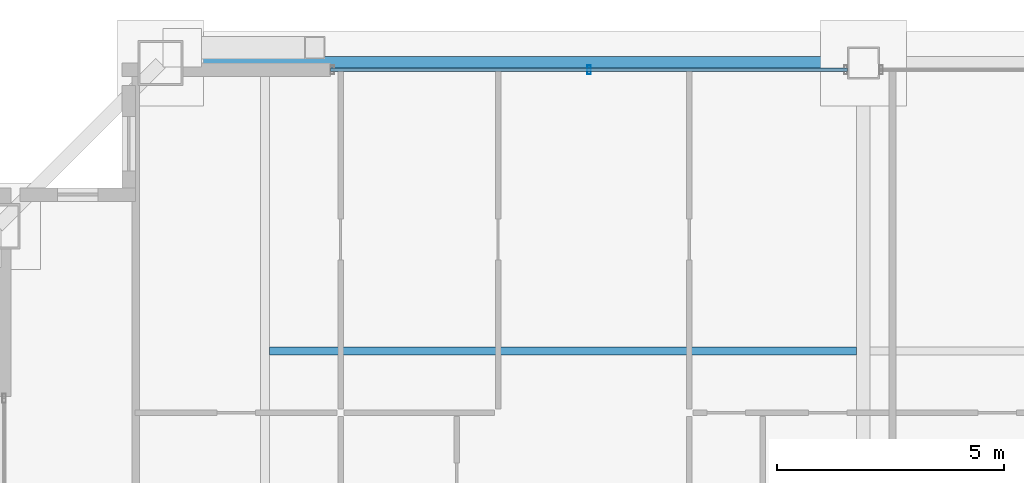
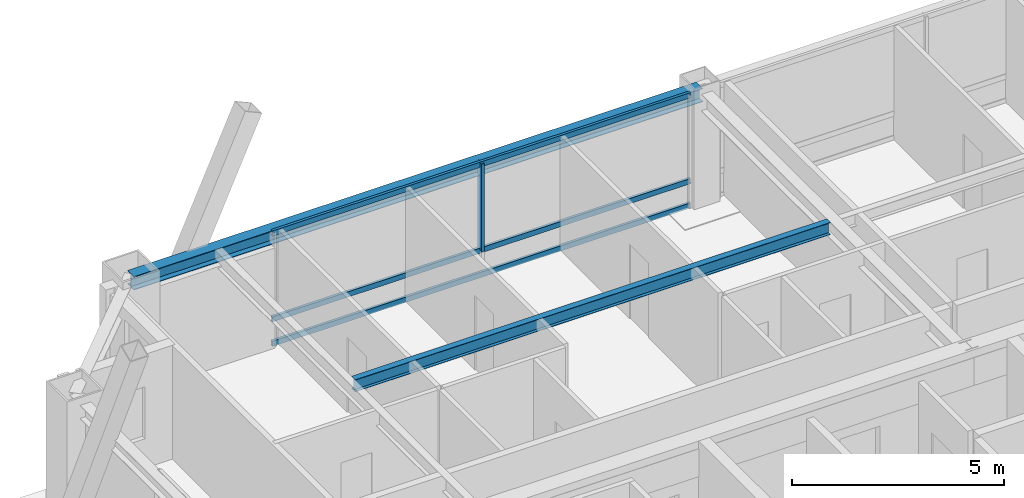
# One storey, part 17 of 35: 4 members, 2 beams, 1 element without a shape of its own.
"""IFC4 building model written with IfcOpenShell, lengths in metres."""

from ifc_helpers import new_model, si_unit, direction, frame, origin, origin_2d, place, context, subcontext, project, spatial, hollow_rectangle, i_section, extrude, source, transform, mapped, material, layer, layer_set, material_profile, profile_set, type_object, element, aggregate, save


model = new_model("IFC4")

# Units and contexts
model_context = context("Model", 3, precision=1e-05, world=origin(), true_north=direction((0.0, 1.0)))
body_context = subcontext(model_context, "Body", "Model", "MODEL_VIEW")
ifc_project = project(units=[si_unit("LENGTHUNIT", "METRE"), si_unit("AREAUNIT", "SQUARE_METRE"), si_unit("VOLUMEUNIT", "CUBIC_METRE"), si_unit("PLANEANGLEUNIT", "RADIAN"), si_unit("MASSUNIT", "GRAM", prefix="KILO"), si_unit("THERMODYNAMICTEMPERATUREUNIT", "KELVIN"), si_unit("POWERUNIT", "WATT")], contexts=[model_context])

# Site, building, storey
site_placement = place(None, origin())
site = spatial("IfcSite", under=ifc_project, at=site_placement, CompositionType="ELEMENT")
building_placement = place(site_placement, origin())
building = spatial("IfcBuilding", under=site, at=building_placement, Name="Yuzanri Waterfront Tower", CompositionType="ELEMENT")
storey_placement = place(building_placement, frame((0.0, 0.0, 285.60009765625)))
storey = spatial("IfcBuildingStorey", under=building, at=storey_placement, Name="L76", CompositionType="ELEMENT", Elevation=285.60009765625)

# Beams
ifc_material_1 = material(Name="Steel Q355B", Category="steel")
ifc_material_profile_1 = material_profile(ifc_material_1, i_section(OverallWidth=0.175048828125, OverallDepth=0.35009765625, WebThickness=0.007080078125, FlangeThickness=0.010986328125, at=origin_2d()), Name="HN 350x175x7x11")
ifc_profile_set_1 = profile_set([ifc_material_profile_1], Name="Steel Q355B")
beam_type_1 = type_object("IfcBeamType", Name="Floor Joist Q355B HN 350x175", PredefinedType="JOIST", material=ifc_profile_set_1)
shared_shape_1 = source(origin(), body_context, "Body", "SweptSolid", [
    extrude(i_section(OverallWidth=0.175048828125, OverallDepth=0.35009765625, WebThickness=0.007080078125, FlangeThickness=0.010986328125, at=origin_2d()), origin(), (0.0, 0.0, 1.0), 12.9501953125),
])
beam_1_placement = place(storey_placement, frame((23.89990234375, 38.550048828125, 3.10498046875), z_axis=(1.0, 0.0, 0.0), x_axis=(0.0, 1.0, 0.0)))
element("IfcBeam", 1, at=beam_1_placement, inside=storey, type_object=beam_type_1, Name="L76 North Bay Joist W", PredefinedType="JOIST", context=body_context, shape_type="MappedRepresentation", body=[
    mapped(shared_shape_1, transform((0.0, 0.0, 0.0), scale=1.0)),
])
ifc_material_2 = material(Name="Steel Q355B", Category="steel")
ifc_material_profile_2 = material_profile(ifc_material_2, i_section(OverallWidth=0.300048828125, OverallDepth=0.389892578125, WebThickness=0.010009765625, FlangeThickness=0.01611328125, at=origin_2d()), Name="HM 390x300x10x16")
ifc_profile_set_2 = profile_set([ifc_material_profile_2], Name="Steel Q355B")
beam_type_2 = type_object("IfcBeamType", Name="Perimeter Spandrel Q355B HM 390x300", PredefinedType="SPANDREL", material=ifc_profile_set_2)
shared_shape_2 = source(origin(), body_context, "Body", "SweptSolid", [
    extrude(i_section(OverallWidth=0.300048828125, OverallDepth=0.389892578125, WebThickness=0.010009765625, FlangeThickness=0.01611328125, at=origin_2d()), origin(), (0.0, 0.0, 1.0), 15.5),
])
beam_2_placement = place(storey_placement, frame((37.0, 44.89990234375, 3.0849609375), z_axis=(-1.0, 0.0, 0.0), x_axis=(0.0, -1.0, 0.0)))
element("IfcBeam", 2, at=beam_2_placement, inside=storey, type_object=beam_type_2, Name="L76 Perimeter Spandrel N2-N1", PredefinedType="SPANDREL", context=body_context, shape_type="MappedRepresentation", body=[
    mapped(shared_shape_2, transform((0.0, 0.0, 0.0), scale=1.0)),
])

# Curtain wall, members
ifc_material_3 = material(Name="Anodized Architectural Bronze", Category="metal")
ifc_layer = layer(ifc_material_3, 0.159912109375)
ifc_layer_set = layer_set([ifc_layer], Name="Anodized Architectural Bronze")
curtain_wall_type = type_object("IfcCurtainWallType", Name="Anodized Bronze High-Rise Penthouse High-Wind Unitized Curtain Wall 6900", PredefinedType="NOTDEFINED", material=ifc_layer_set)
curtain_wall_placement = place(storey_placement, origin())
curtain_wall = element("IfcCurtainWall", 3, at=curtain_wall_placement, inside=storey, type_object=curtain_wall_type, Name="L76 Curtain Wall CW-L76-NL", PredefinedType="NOTDEFINED")
ifc_material_4 = material(Name="Anodized Architectural Bronze", Category="metal")
ifc_material_profile_3 = material_profile(ifc_material_4, hollow_rectangle(XDim=0.074951171875, YDim=0.199951171875, WallThickness=0.00390625, at=origin_2d()), Name="CWM 75x200")
ifc_profile_set_3 = profile_set([ifc_material_profile_3], Name="Anodized Architectural Bronze")
member_type_1 = type_object("IfcMemberType", Name="Anodized Bronze Primary Curtain-Wall Mullion 75x200", PredefinedType="MULLION", material=ifc_profile_set_3)
shared_shape_3 = source(origin(), body_context, "Body", "SweptSolid", [
    extrude(hollow_rectangle(XDim=0.074951171875, YDim=0.199951171875, WallThickness=0.00390625, at=origin_2d()), origin(), (0.0, 0.0, 1.0), 2.52392578125),
])
member_1_placement = place(storey_placement, frame((30.949951171875, 44.75, 0.755859375), z_axis=(0.0, 0.0, 1.0), x_axis=(1.0, 0.0, 0.0)))
member_1 = element("IfcMember", 4, at=member_1_placement, type_object=member_type_1, Name="CW-L76-NL Upper Mullion 01", PredefinedType="MULLION", context=body_context, shape_type="MappedRepresentation", body=[
    mapped(shared_shape_3, transform((0.0, 0.0, 0.0), scale=1.0)),
])
ifc_material_5 = material(Name="Anodized Architectural Bronze", Category="metal")
ifc_material_profile_4 = material_profile(ifc_material_5, hollow_rectangle(XDim=0.074951171875, YDim=0.14990234375, WallThickness=0.00390625, at=origin_2d()), Name="CWT 75x150")
ifc_profile_set_4 = profile_set([ifc_material_profile_4], Name="Anodized Architectural Bronze")
member_type_2 = type_object("IfcMemberType", Name="Anodized Bronze Primary Curtain-Wall Transom 75x150", PredefinedType="USERDEFINED", material=ifc_profile_set_4)
shared_shape_4 = source(origin(), body_context, "Body", "SweptSolid", [
    extrude(hollow_rectangle(XDim=0.074951171875, YDim=0.14990234375, WallThickness=0.00390625, at=origin_2d()), origin(), (0.0, 0.0, 1.0), 11.39990234375),
])
member_2_placement = place(storey_placement, frame((25.25, 44.75, 0.0498046875), z_axis=(1.0, 0.0, 0.0), x_axis=(0.0, 1.0, 0.0)))
member_2 = element("IfcMember", 5, at=member_2_placement, type_object=member_type_2, Name="CW-L76-NL Transom 1", ObjectType="TRANSOM", PredefinedType="USERDEFINED", context=body_context, shape_type="MappedRepresentation", body=[
    mapped(shared_shape_4, transform((0.0, 0.0, 0.0), scale=1.0)),
])
member_3_placement = place(storey_placement, frame((25.25, 44.75, 0.75390625), z_axis=(1.0, 0.0, 0.0), x_axis=(0.0, 1.0, 0.0)))
member_3 = element("IfcMember", 6, at=member_3_placement, type_object=member_type_2, Name="CW-L76-NL Transom 2", ObjectType="TRANSOM", PredefinedType="USERDEFINED", context=body_context, shape_type="MappedRepresentation", body=[
    mapped(shared_shape_4, transform((0.0, 0.0, 0.0), scale=1.0)),
])
member_4_placement = place(storey_placement, frame((25.25, 44.75, 3.22998046875), z_axis=(1.0, 0.0, 0.0), x_axis=(0.0, 1.0, 0.0)))
member_4 = element("IfcMember", 7, at=member_4_placement, type_object=member_type_2, Name="CW-L76-NL Transom 3", ObjectType="TRANSOM", PredefinedType="USERDEFINED", context=body_context, shape_type="MappedRepresentation", body=[
    mapped(shared_shape_4, transform((0.0, 0.0, 0.0), scale=1.0)),
])
aggregate(curtain_wall, [member_1, member_2, member_3, member_4])

save(model, "model.ifc")
